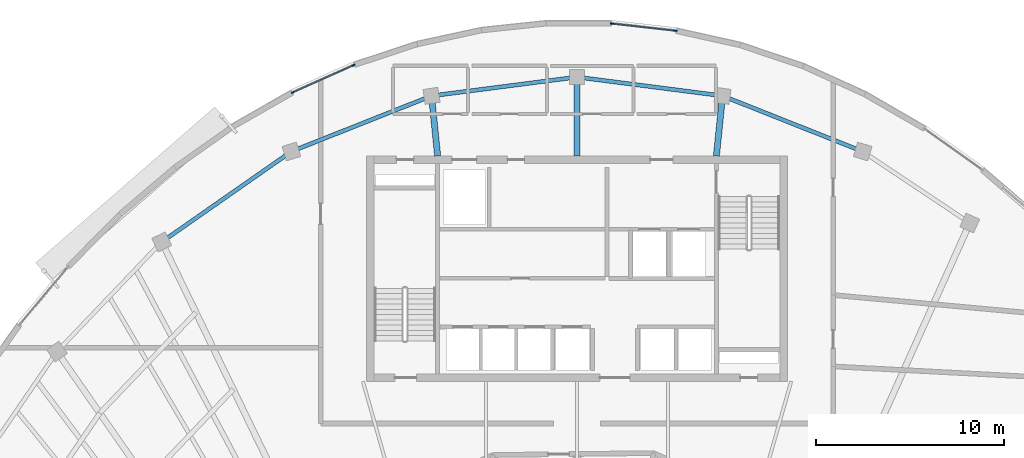
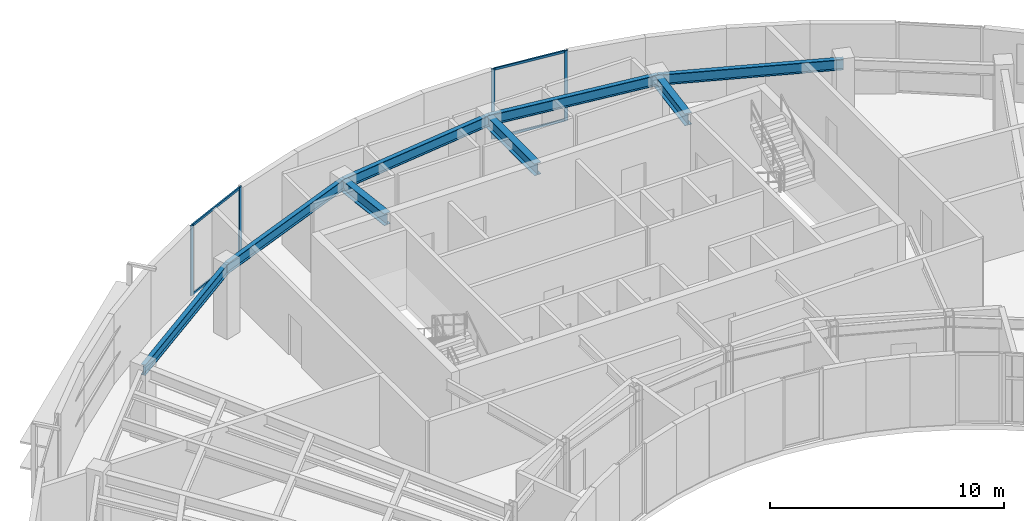
# One storey, part 4 of 12: 8 beams, 8 members, 2 elements without a shape of their own.
"""IFC4 building model written with IfcOpenShell, lengths in metres."""

from ifc_helpers import new_model, si_unit, direction, frame, origin, origin_2d, place, context, subcontext, project, spatial, rectangle, i_section, extrude, source, transform, mapped, material, layer, layer_set, material_profile, profile_set, type_object, element, aggregate, save


model = new_model("IFC4")

# Units and contexts
model_context = context("Model", 3, precision=1e-05, world=origin(), true_north=direction((0.0, 1.0)))
body_context = subcontext(model_context, "Body", "Model", "MODEL_VIEW")
ifc_project = project(units=[si_unit("LENGTHUNIT", "METRE"), si_unit("AREAUNIT", "SQUARE_METRE"), si_unit("VOLUMEUNIT", "CUBIC_METRE"), si_unit("PLANEANGLEUNIT", "RADIAN"), si_unit("MASSUNIT", "GRAM", prefix="KILO")], contexts=[model_context])

# Site, building, storey
site_placement = place(None, origin())
site = spatial("IfcSite", under=ifc_project, at=site_placement, CompositionType="ELEMENT")
building_placement = place(site_placement, origin())
building = spatial("IfcBuilding", under=site, at=building_placement, Name="Breltana Convention Tower", CompositionType="ELEMENT")
storey_placement = place(building_placement, frame((0.0, 0.0, 260.10009765625)))
storey = spatial("IfcBuildingStorey", under=building, at=storey_placement, Name="L63", CompositionType="ELEMENT", Elevation=260.10009765625)

# Beams
ifc_material_1 = material(Name="Steel ASTM A992 Grade 50", Category="steel")
ifc_material_profile_1 = material_profile(ifc_material_1, i_section(OverallWidth=0.326904296875, OverallDepth=0.6220703125, WebThickness=0.015380859375, FlangeThickness=0.0244140625, at=origin_2d()), Name="W24X131")
ifc_profile_set_1 = profile_set([ifc_material_profile_1], Name="Steel ASTM A992 Grade 50")
beam_type_1 = type_object("IfcBeamType", Name="BM-RG-W24X131", PredefinedType="USERDEFINED", material=ifc_profile_set_1)
shared_shape_1 = source(origin(), body_context, "Body", "SweptSolid", [
    extrude(i_section(OverallWidth=0.326904296875, OverallDepth=0.6220703125, WebThickness=0.015380859375, FlangeThickness=0.0244140625, at=origin_2d()), origin(), (0.0, 0.0, 1.0), 3.220947265625),
])
for number, where, z_axis, x_axis, name in (
    (1, (40.580078125, 72.199951171875, 3.3388671875), (-0.101492254858, 0.994836329355, 0.0), (-0.994836329355, -0.101492254858, 0.0), "L63 North Core Radial Girder R05"),
    (2, (55.419921875, 72.199951171875, 3.3388671875), (0.101492254858, 0.994836329355, 0.0), (-0.994836329355, 0.101492254858, 0.0), "L63 North Core Radial Girder R07"),
):
    element("IfcBeam", number, at=place(storey_placement, frame(where, z_axis=z_axis, x_axis=x_axis)), inside=storey, type_object=beam_type_1, Name=name, ObjectType="GIRDER", PredefinedType="USERDEFINED", context=body_context, shape_type="MappedRepresentation", body=[
        mapped(shared_shape_1, transform((0.0, 0.0, 0.0), scale=1.0)),
    ])
shared_shape_2 = source(origin(), body_context, "Body", "SweptSolid", [
    extrude(i_section(OverallWidth=0.326904296875, OverallDepth=0.6220703125, WebThickness=0.015380859375, FlangeThickness=0.0244140625, at=origin_2d()), origin(), (0.0, 0.0, 1.0), 4.2041015625),
])
beam_1_placement = place(storey_placement, frame((48.0, 72.199951171875, 3.3388671875), z_axis=(0.0, 1.0, 0.0), x_axis=(-1.0, 0.0, 0.0)))
element("IfcBeam", 3, at=beam_1_placement, inside=storey, type_object=beam_type_1, Name="L63 North Core Radial Girder R06", ObjectType="GIRDER", PredefinedType="USERDEFINED", context=body_context, shape_type="MappedRepresentation", body=[
    mapped(shared_shape_2, transform((0.0, 0.0, 0.0), scale=1.0)),
])
ifc_material_profile_2 = material_profile(ifc_material_1, i_section(OverallWidth=0.214111328125, OverallDepth=0.549072265625, WebThickness=0.0146484375, FlangeThickness=0.023681640625, at=origin_2d()), Name="W21X93")
ifc_profile_set_2 = profile_set([ifc_material_profile_2], Name="Steel ASTM A992 Grade 50")
beam_type_2 = type_object("IfcBeamType", Name="BM-SP-W21X93", PredefinedType="SPANDREL", material=ifc_profile_set_2)
shared_shape_3 = source(origin(), body_context, "Body", "SweptSolid", [
    extrude(i_section(OverallWidth=0.214111328125, OverallDepth=0.549072265625, WebThickness=0.0146484375, FlangeThickness=0.023681640625, at=origin_2d()), origin(), (0.0, 0.0, 1.0), 8.4169921875),
])
beam_2_placement = place(storey_placement, frame((25.8876953125, 67.626953125, 3.37548828125), z_axis=(0.820173800102, 0.572114444519, 0.0), x_axis=(-0.572114444519, 0.820173800102, 0.0)))
element("IfcBeam", 4, at=beam_2_placement, inside=storey, type_object=beam_type_2, Name="L63 Outer Spandrel Beam 03", PredefinedType="SPANDREL", context=body_context, shape_type="MappedRepresentation", body=[
    mapped(shared_shape_3, transform((0.0, 0.0, 0.0), scale=1.0)),
])
shared_shape_4 = source(origin(), body_context, "Body", "SweptSolid", [
    extrude(i_section(OverallWidth=0.214111328125, OverallDepth=0.549072265625, WebThickness=0.0146484375, FlangeThickness=0.023681640625, at=origin_2d()), origin(), (0.0, 0.0, 1.0), 8.028564453125),
])
for number, where, z_axis, x_axis, name in (
    (5, (32.791015625, 72.4423828125, 3.37548828125), (0.929459100394, 0.368925169507, 0.0), (-0.368925169507, 0.929459100394, 0.0), "L63 Outer Spandrel Beam 04"),
    (6, (55.746826171875, 75.404296875, 3.37548828125), (0.929459100394, -0.368925169507, 0.0), (0.368925169507, 0.929459100394, 0.0), "L63 Outer Spandrel Beam 07"),
):
    element("IfcBeam", number, at=place(storey_placement, frame(where, z_axis=z_axis, x_axis=x_axis)), inside=storey, type_object=beam_type_2, Name=name, PredefinedType="SPANDREL", context=body_context, shape_type="MappedRepresentation", body=[
        mapped(shared_shape_4, transform((0.0, 0.0, 0.0), scale=1.0)),
    ])
shared_shape_5 = source(origin(), body_context, "Body", "SweptSolid", [
    extrude(i_section(OverallWidth=0.214111328125, OverallDepth=0.549072265625, WebThickness=0.0146484375, FlangeThickness=0.023681640625, at=origin_2d()), origin(), (0.0, 0.0, 1.0), 7.81103515625),
])
for number, where, z_axis, x_axis, name in (
    (7, (40.253173828125, 75.404296875, 3.37548828125), (0.991775179127, 0.127992164083, 0.0), (-0.127992164083, 0.991775179127, 0.0), "L63 Outer Spandrel Beam 05"),
    (8, (48.0, 76.404052734375, 3.37548828125), (0.991775179127, -0.127992164083, 0.0), (0.127992164083, 0.991775179127, 0.0), "L63 Outer Spandrel Beam 06"),
):
    element("IfcBeam", number, at=place(storey_placement, frame(where, z_axis=z_axis, x_axis=x_axis)), inside=storey, type_object=beam_type_2, Name=name, PredefinedType="SPANDREL", context=body_context, shape_type="MappedRepresentation", body=[
        mapped(shared_shape_5, transform((0.0, 0.0, 0.0), scale=1.0)),
    ])

# Curtain wall, members
ifc_material_2 = material(Name="Aluminium Anodised Bronze Frame", Category="aluminium")
ifc_layer = layer(ifc_material_2, 0.22998046875, Name="Aluminium Anodised Bronze Frame")
ifc_layer_set = layer_set([ifc_layer], Name="Aluminium Anodised Bronze Frame")
curtain_wall_type = type_object("IfcCurtainWallType", Name="CW-SYS-5", PredefinedType="NOTDEFINED", material=ifc_layer_set)
curtain_wall_1_placement = place(storey_placement, origin())
curtain_wall_1 = element("IfcCurtainWall", 9, at=curtain_wall_1_placement, inside=storey, type_object=curtain_wall_type, Name="L63 outer double-skin inner glazing 3", PredefinedType="NOTDEFINED")
ifc_material_3 = material(Name="Aluminium Anodised Bronze", Category="aluminium")
ifc_material_profile_3 = material_profile(ifc_material_3, rectangle(XDim=0.070068359375, YDim=0.175048828125, at=origin_2d()), Name="CWM-70X175")
ifc_profile_set_3 = profile_set([ifc_material_profile_3], Name="Aluminium Anodised Bronze")
member_type_1 = type_object("IfcMemberType", Name="CWM-175", PredefinedType="MULLION", material=ifc_profile_set_3)
shared_shape_6 = source(origin(), body_context, "Body", "SweptSolid", [
    extrude(rectangle(XDim=0.070068359375, YDim=0.175048828125, at=origin_2d()), origin(), (0.0, 0.0, 1.0), 3.64990234375),
])
member_1_placement = place(storey_placement, frame((32.879638671875, 75.593017578125, 0.0), z_axis=(0.0, 0.0, 1.0), x_axis=(-0.408604277921, 0.912711643437, 0.0)))
member_1 = element("IfcMember", 10, at=member_1_placement, type_object=member_type_1, Name="CW-05 mullion 1", PredefinedType="MULLION", context=body_context, shape_type="MappedRepresentation", body=[
    mapped(shared_shape_6, transform((0.0, 0.0, 0.0), scale=1.0)),
])
member_2_placement = place(storey_placement, frame((36.100341796875, 77.034912109375, 0.0), z_axis=(0.0, 0.0, 1.0), x_axis=(-0.408604277921, 0.912711643437, 0.0)))
member_2 = element("IfcMember", 11, at=member_2_placement, type_object=member_type_1, Name="CW-05 mullion 2", PredefinedType="MULLION", context=body_context, shape_type="MappedRepresentation", body=[
    mapped(shared_shape_6, transform((0.0, 0.0, 0.0), scale=1.0)),
])

curtain_wall_2_placement = place(storey_placement, origin())
curtain_wall_2 = element("IfcCurtainWall", 12, at=curtain_wall_2_placement, inside=storey, type_object=curtain_wall_type, Name="L63 outer double-skin inner glazing 4", PredefinedType="NOTDEFINED")
member_3_placement = place(storey_placement, frame((49.8583984375, 79.24951171875, 0.0), z_axis=(0.0, 0.0, 1.0), x_axis=(0.111241021007, 0.993793457035, 0.0)))
member_3 = element("IfcMember", 13, at=member_3_placement, type_object=member_type_1, Name="CW-05 mullion 1", PredefinedType="MULLION", context=body_context, shape_type="MappedRepresentation", body=[
    mapped(shared_shape_6, transform((0.0, 0.0, 0.0), scale=1.0)),
])
member_4_placement = place(storey_placement, frame((53.238037109375, 78.871337890625, 0.0), z_axis=(0.0, 0.0, 1.0), x_axis=(0.111241021007, 0.993793457035, 0.0)))
member_4 = element("IfcMember", 14, at=member_4_placement, type_object=member_type_1, Name="CW-05 mullion 2", PredefinedType="MULLION", context=body_context, shape_type="MappedRepresentation", body=[
    mapped(shared_shape_6, transform((0.0, 0.0, 0.0), scale=1.0)),
])

# Member
ifc_material_profile_4 = material_profile(ifc_material_3, rectangle(XDim=0.070068359375, YDim=0.1201171875, at=origin_2d()), Name="CWT-70X120")
ifc_profile_set_4 = profile_set([ifc_material_profile_4], Name="Aluminium Anodised Bronze")
member_type_2 = type_object("IfcMemberType", Name="CWT-120", PredefinedType="USERDEFINED", material=ifc_profile_set_4)
shared_shape_7 = source(origin(), body_context, "Body", "SweptSolid", [
    extrude(rectangle(XDim=0.070068359375, YDim=0.1201171875, at=origin_2d()), origin(), (0.0, 0.0, 1.0), 3.458984375),
])
member_5_placement = place(storey_placement, frame((32.911376953125, 75.607421875, 0.034912109375), z_axis=(0.91271089975, 0.408605939112, 0.0), x_axis=(-0.408605939112, 0.91271089975, 0.0)))
member_5 = element("IfcMember", 15, at=member_5_placement, type_object=member_type_2, Name="CW-05 transom 1.1", ObjectType="TRANSOM", PredefinedType="USERDEFINED", context=body_context, shape_type="MappedRepresentation", body=[
    mapped(shared_shape_7, transform((0.0, 0.0, 0.0), scale=1.0)),
])

member_6_placement = place(storey_placement, frame((32.911376953125, 75.607421875, 3.614990234375), z_axis=(0.91271089975, 0.408605939112, 0.0), x_axis=(-0.408605939112, 0.91271089975, 0.0)))
member_6 = element("IfcMember", 16, at=member_6_placement, type_object=member_type_2, Name="CW-05 transom 1.2", ObjectType="TRANSOM", PredefinedType="USERDEFINED", context=body_context, shape_type="MappedRepresentation", body=[
    mapped(shared_shape_7, transform((0.0, 0.0, 0.0), scale=1.0)),
])

aggregate(curtain_wall_1, [member_1, member_2, member_5, member_6])

shared_shape_8 = source(origin(), body_context, "Body", "SweptSolid", [
    extrude(rectangle(XDim=0.070068359375, YDim=0.1201171875, at=origin_2d()), origin(), (0.0, 0.0, 1.0), 3.3310546875),
])
member_7_placement = place(storey_placement, frame((49.89306640625, 79.24560546875, 0.034912109375), z_axis=(0.993799426542, -0.1111876783, 0.0), x_axis=(0.1111876783, 0.993799426542, 0.0)))
member_7 = element("IfcMember", 17, at=member_7_placement, type_object=member_type_2, Name="CW-05 transom 1.1", ObjectType="TRANSOM", PredefinedType="USERDEFINED", context=body_context, shape_type="MappedRepresentation", body=[
    mapped(shared_shape_8, transform((0.0, 0.0, 0.0), scale=1.0)),
])

member_8_placement = place(storey_placement, frame((49.89306640625, 79.24560546875, 3.614990234375), z_axis=(0.993799426542, -0.1111876783, 0.0), x_axis=(0.1111876783, 0.993799426542, 0.0)))
member_8 = element("IfcMember", 18, at=member_8_placement, type_object=member_type_2, Name="CW-05 transom 1.2", ObjectType="TRANSOM", PredefinedType="USERDEFINED", context=body_context, shape_type="MappedRepresentation", body=[
    mapped(shared_shape_8, transform((0.0, 0.0, 0.0), scale=1.0)),
])

aggregate(curtain_wall_2, [member_3, member_4, member_7, member_8])

save(model, "model.ifc")
